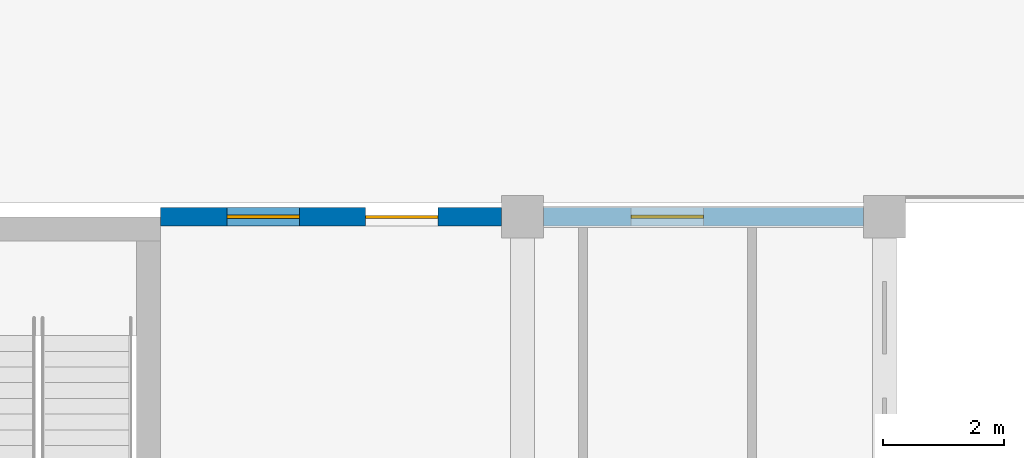
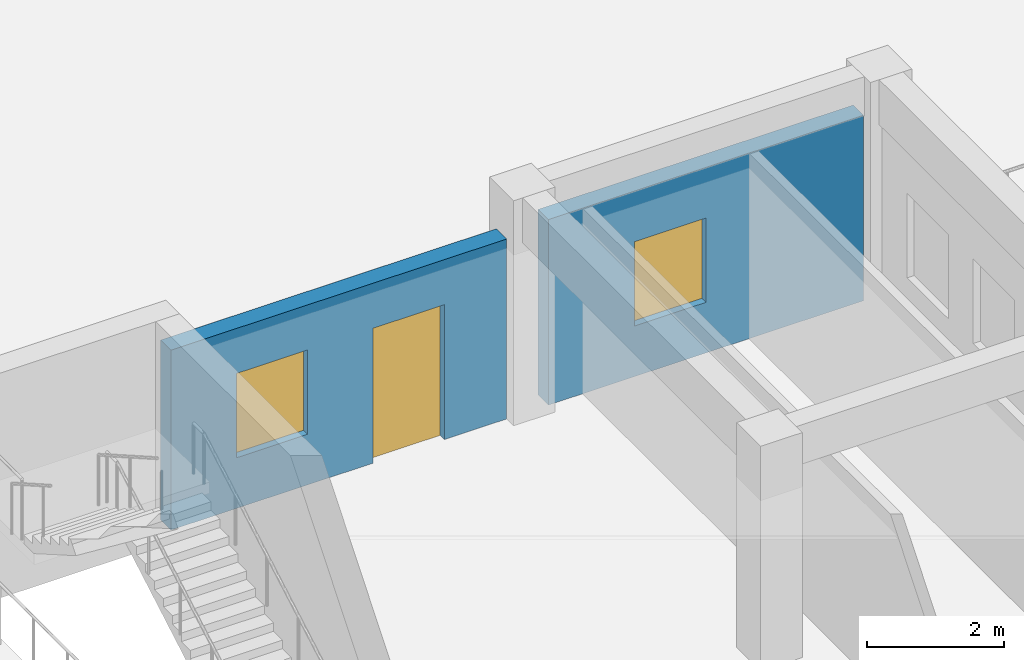
# One storey, part 78 of 101: 2 walls, 2 windows, 1 door, 3 openings.
"""IFC4 building model written with IfcOpenShell, lengths in metres."""

from ifc_helpers import new_model, si_unit, direction, frame, frame_2d, origin, place, context, subcontext, project, spatial, rectangle, extrude, material, layer, layer_set, type_object, element, fill, save


model = new_model("IFC4")

# Units and contexts
model_context = context("Model", 3, precision=1e-05, world=origin(), true_north=direction((0.0, 1.0)))
body_context = subcontext(model_context, "Body", "Model", "MODEL_VIEW")
ifc_project = project(units=[si_unit("LENGTHUNIT", "METRE"), si_unit("AREAUNIT", "SQUARE_METRE"), si_unit("VOLUMEUNIT", "CUBIC_METRE"), si_unit("PLANEANGLEUNIT", "RADIAN"), si_unit("MASSUNIT", "GRAM", prefix="KILO")], contexts=[model_context])

# Site, building, storey
site_placement = place(None, origin())
site = spatial("IfcSite", under=ifc_project, at=site_placement, CompositionType="ELEMENT")
building_placement = place(site_placement, origin())
building = spatial("IfcBuilding", under=site, at=building_placement, Name="Laocheng Heights Fire and Rescue Headquarters", CompositionType="ELEMENT")
storey_placement = place(building_placement, frame((0.0, 0.0, 8.39990234375)))
storey = spatial("IfcBuildingStorey", under=building, at=storey_placement, Name="L02", CompositionType="ELEMENT", Elevation=8.39990234375)

# Wall, openings, door, window
ifc_material_1 = material(Name="Precast concrete C40/50", Category="concrete")
ifc_layer = layer(ifc_material_1, 0.300048828125)
ifc_layer_set = layer_set([ifc_layer], Name="Precast concrete C40/50")
wall_type = type_object("IfcWallType", Name="PRECAST WALL PANEL CREW 300", PredefinedType="SOLIDWALL", material=ifc_layer_set)
wall_1_placement = place(storey_placement, frame((96.0, 57.60009765625, 0.0), z_axis=(0.0, 0.0, 1.0), x_axis=(1.0, 0.0, 0.0)))
wall_1 = element("IfcWall", 1, at=wall_1_placement, inside=storey, type_object=wall_type, Name="PRECAST WALL PANEL CREW CREW NORTH L02", PredefinedType="SOLIDWALL", context=body_context, shape_type="SweptSolid", body=[
    extrude(rectangle(XDim=5.64990234375, YDim=0.300048828125, at=frame_2d((2.824951171875, 0.0))), origin(), (0.0, 0.0, 1.0), 3.2001953125),
])
opening_1_placement = place(wall_1_placement, frame((3.39990234375, 0.0, 0.0)))
opening_1 = element("IfcOpeningElement", 2, at=opening_1_placement, cuts=wall_1, Name="Opening L02-W02", PredefinedType="OPENING", context=body_context, shape_type="SweptSolid", body=[
    extrude(rectangle(XDim=1.199951171875, YDim=2.39990234375, at=frame_2d((0.60009765625, 1.199951171875))), frame((0.0, 0.159912109375, 0.0), z_axis=(0.0, -1.0, 0.0), x_axis=(1.0, 0.0, 0.0)), (0.0, 0.0, 1.0), 0.320068359375),
])
opening_2_placement = place(wall_1_placement, frame((1.10009765625, 0.0, 0.89990234375)))
opening_2 = element("IfcOpeningElement", 3, at=opening_2_placement, cuts=wall_1, Name="Opening N3-W", PredefinedType="OPENING", context=body_context, shape_type="SweptSolid", body=[
    extrude(rectangle(XDim=1.199951171875, YDim=1.5, at=frame_2d((0.60009765625, 0.75))), frame((0.0, 0.159912109375, 0.0), z_axis=(0.0, -1.0, 0.0), x_axis=(1.0, 0.0, 0.0)), (0.0, 0.0, 1.0), 0.320068359375),
])
ifc_material_2 = material(Name="Dark anodised aluminium framed glazed door, low-e glazing", Category="aluminium")
door_type = type_object("IfcDoorType", Name="UPPER YARD DOOR 1200 x 2400", OperationType="SINGLE_SWING_LEFT", PredefinedType="DOOR", material=ifc_material_2)
door_placement = place(opening_1_placement, origin())
door = element("IfcDoor", 4, at=door_placement, inside=storey, type_object=door_type, Name="UPPER YARD DOOR CREW NORTH L02", OperationType="SINGLE_SWING_LEFT", OverallHeight=2.39990234375, OverallWidth=1.199951171875, PredefinedType="DOOR", context=body_context, shape_type="SweptSolid", body=[
    extrude(rectangle(XDim=1.199951171875, YDim=2.39990234375, at=frame_2d((0.60009765625, 1.199951171875))), frame((0.0, 0.02490234375, 0.0), z_axis=(0.0, -1.0, 0.0), x_axis=(1.0, 0.0, 0.0)), (0.0, 0.0, 1.0), 0.050048828125),
])
fill(opening_1, door)
ifc_material_3 = material(Name="Low-e double glazing in aluminium frame", Category="aluminium")
window_type = type_object("IfcWindowType", Name="WINDOW 1200 x 1500 CREW GENERAL", PartitioningType="SINGLE_PANEL", PredefinedType="WINDOW", material=ifc_material_3)
window_1_placement = place(opening_2_placement, origin())
window_1 = element("IfcWindow", 5, at=window_1_placement, inside=storey, type_object=window_type, Name="CREW GENERAL CREW NORTH L02", OverallHeight=1.5, OverallWidth=1.199951171875, PartitioningType="SINGLE_PANEL", PredefinedType="WINDOW", context=body_context, shape_type="SweptSolid", body=[
    extrude(rectangle(XDim=1.199951171875, YDim=1.5, at=frame_2d((0.60009765625, 0.75))), frame((0.0, 0.030029296875, 0.0), z_axis=(0.0, -1.0, 0.0), x_axis=(1.0, 0.0, 0.0)), (0.0, 0.0, 1.0), 0.06005859375),
])
fill(opening_2, window_1)

# Wall, opening, window
wall_2_placement = place(storey_placement, frame((102.35009765625, 57.60009765625, 0.0), z_axis=(0.0, 0.0, 1.0), x_axis=(1.0, 0.0, 0.0)))
wall_2 = element("IfcWall", 6, at=wall_2_placement, inside=storey, type_object=wall_type, Name="PRECAST WALL PANEL CREW CREW NORTH L02", PredefinedType="SOLIDWALL", context=body_context, shape_type="SweptSolid", body=[
    extrude(rectangle(XDim=5.2998046875, YDim=0.300048828125, at=frame_2d((2.64990234375, 0.0))), origin(), (0.0, 0.0, 1.0), 3.300048828125),
])
opening_3_placement = place(wall_2_placement, frame((1.449951171875, 0.0, 0.89990234375)))
opening_3 = element("IfcOpeningElement", 7, at=opening_3_placement, cuts=wall_2, Name="Opening N3-W", PredefinedType="OPENING", context=body_context, shape_type="SweptSolid", body=[
    extrude(rectangle(XDim=1.199951171875, YDim=1.5, at=frame_2d((0.60009765625, 0.75))), frame((0.0, 0.159912109375, 0.0), z_axis=(0.0, -1.0, 0.0), x_axis=(1.0, 0.0, 0.0)), (0.0, 0.0, 1.0), 0.320068359375),
])
window_2_placement = place(opening_3_placement, origin())
window_2 = element("IfcWindow", 8, at=window_2_placement, inside=storey, type_object=window_type, Name="CREW GENERAL CREW NORTH L02", OverallHeight=1.5, OverallWidth=1.199951171875, PartitioningType="SINGLE_PANEL", PredefinedType="WINDOW", context=body_context, shape_type="SweptSolid", body=[
    extrude(rectangle(XDim=1.199951171875, YDim=1.5, at=frame_2d((0.60009765625, 0.75))), frame((0.0, 0.030029296875, 0.0), z_axis=(0.0, -1.0, 0.0), x_axis=(1.0, 0.0, 0.0)), (0.0, 0.0, 1.0), 0.06005859375),
])
fill(opening_3, window_2)

save(model, "model.ifc")
